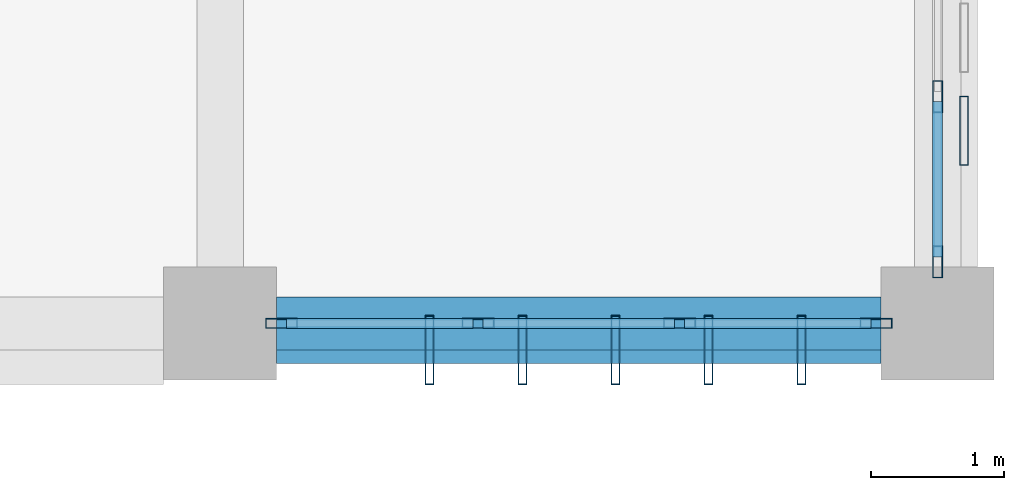
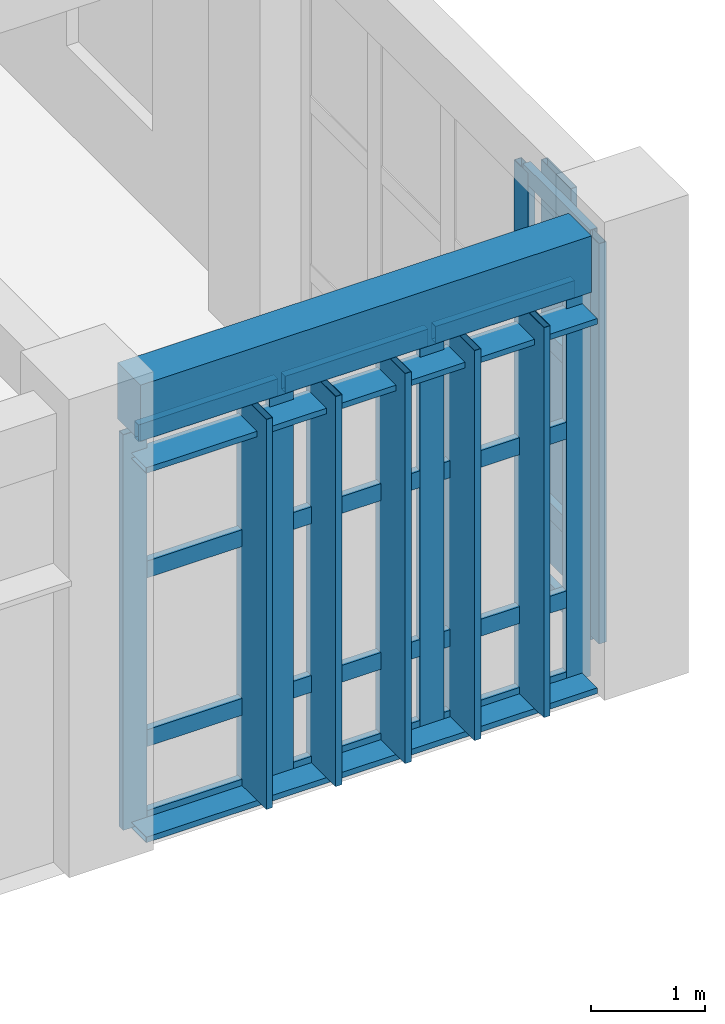
# One storey, part 61 of 106: 30 members, 1 beam, 2 elements without a shape of their own.
"""IFC4 building model written with IfcOpenShell, lengths in metres."""

import ifcopenshell
import ifcopenshell.guid

model = None  # the IFC model being written
_history = None  # IfcOwnerHistory: only IFC2X3 demands one
_inside = {}  # id of a spatial element -> (the spatial element, [elements in it])
_under = {}  # id of a project, library or spatial element -> (it, [spatial elements below it])
_declared = {}  # id of a project -> (the project, [libraries it declares])
_typed = {}  # id of a type object -> (the type object, [elements of that type])
_made_of = {}  # id of a material, layer set ... -> (it, [elements and type objects made of it])


def new_model(schema):
    """Start an empty IFC model of exactly this schema.

    Asked for "IFC4X3", IfcOpenShell would pick the latest addendum, in which some entities
    have other attributes; the version numbers below select the first issue.
    IFC2X3 requires an IfcOwnerHistory on every rooted entity: one is made here for all.
    """
    global model, _history
    if schema == "IFC4X3":
        model = ifcopenshell.file(schema_version=(4, 3, 0, 0))
    else:
        model = ifcopenshell.file(schema=schema)
    _inside.clear()
    _under.clear()
    _declared.clear()
    _typed.clear()
    _made_of.clear()
    _history = None
    if model.schema == "IFC2X3":
        org = make("IfcOrganization", Name="unknown")
        user = make(
            "IfcPersonAndOrganization",
            ThePerson=make("IfcPerson", FamilyName="unknown"),
            TheOrganization=org,
        )
        app = make(
            "IfcApplication",
            ApplicationDeveloper=org,
            Version="unknown",
            ApplicationFullName="unknown",
            ApplicationIdentifier="unknown",
        )
        _history = make(
            "IfcOwnerHistory",
            OwningUser=user,
            OwningApplication=app,
            ChangeAction="ADDED",
            CreationDate=0,
        )
    return model


def make(cls, **values):
    """One entity of the class cls with the attributes given. An attribute that is None is left unset."""
    return model.create_entity(
        cls, **{name: value for name, value in values.items() if value is not None}
    )


def rooted(cls, **values):
    """An entity with a GlobalId (a new one), such as an element, a storey or a relation."""
    return make(cls, GlobalId=ifcopenshell.guid.new(), OwnerHistory=_history, **values)


def si_unit(unit_type, name, prefix=None):
    """IfcSIUnit, for example si_unit("LENGTHUNIT", "METRE", prefix="MILLI")."""
    return make("IfcSIUnit", UnitType=unit_type, Prefix=prefix, Name=name)


def assignment(units):
    """IfcUnitAssignment: the units of a project."""
    return None if units is None else make("IfcUnitAssignment", Units=units)


def point(xyz):
    """IfcCartesianPoint."""
    return None if xyz is None else make("IfcCartesianPoint", Coordinates=xyz)


def direction(xyz):
    """IfcDirection."""
    return None if xyz is None else make("IfcDirection", DirectionRatios=xyz)


def frame(location, z_axis=None, x_axis=None):
    """IfcAxis2Placement3D, a coordinate frame: its origin and axes. An axis left out is left unset."""
    return make(
        "IfcAxis2Placement3D",
        Location=point(location),
        Axis=direction(z_axis),
        RefDirection=direction(x_axis),
    )


def frame_2d(location, x_axis=None):
    """IfcAxis2Placement2D, a coordinate frame in the plane: its origin and x axis."""
    return make(
        "IfcAxis2Placement2D", Location=point(location), RefDirection=direction(x_axis)
    )


def origin():
    """The frame at (0, 0, 0) with its axes left unset."""
    return frame((0.0, 0.0, 0.0))


def origin_2d():
    """The frame at (0, 0) in the plane with its x axis left unset."""
    return frame_2d((0.0, 0.0))


def place(relative_to, where):
    """IfcLocalPlacement: puts the frame where relative to a parent placement (None: the world)."""
    return make(
        "IfcLocalPlacement", PlacementRelTo=relative_to, RelativePlacement=where
    )


def context(
    kind, dimensions, precision=None, world=None, true_north=None, identifier=None
):
    """IfcGeometricRepresentationContext, for example the 3D "Model" context."""
    return make(
        "IfcGeometricRepresentationContext",
        ContextIdentifier=identifier,
        ContextType=kind,
        CoordinateSpaceDimension=dimensions,
        Precision=precision,
        WorldCoordinateSystem=world,
        TrueNorth=true_north,
    )


def subcontext(parent, identifier, kind, view, scale=None):
    """IfcGeometricRepresentationSubContext, for example "Body" below "Model"."""
    return make(
        "IfcGeometricRepresentationSubContext",
        ContextIdentifier=identifier,
        ContextType=kind,
        ParentContext=parent,
        TargetScale=scale,
        TargetView=view,
    )


def project(units=None, contexts=None):
    """IfcProject with its units and contexts."""
    return rooted(
        "IfcProject",
        Name="project",
        RepresentationContexts=contexts,
        UnitsInContext=assignment(units),
    )


def spatial(cls, under=None, at=None, **own):
    """A site, building, storey or space (cls), placed at a placement, below another one or the project."""
    s = rooted(cls, ObjectPlacement=at, **own)
    if under is not None:
        _under.setdefault(under.id(), (under, []))[1].append(s)
    return s


def profile(cls, at=None, kind="AREA", **sizes):
    """A parametric profile (cls). Its sizes go by their IFC names, for example OverallWidth=200.0."""
    return make(cls, ProfileType=kind, Position=at, **sizes)


def rectangle(**sizes):
    """IfcRectangleProfileDef."""
    return profile("IfcRectangleProfileDef", **sizes)


def hollow_rectangle(**sizes):
    """IfcRectangleHollowProfileDef."""
    return profile("IfcRectangleHollowProfileDef", **sizes)


def extrude(swept, where, along, depth):
    """IfcExtrudedAreaSolid: the profile swept, set in the frame where, extruded along a direction by depth."""
    return make(
        "IfcExtrudedAreaSolid",
        SweptArea=swept,
        Position=where,
        ExtrudedDirection=direction(along),
        Depth=depth,
    )


def shape(context_of_items, identifier, shape_type, items):
    """IfcShapeRepresentation: the items that make up one representation, for example the "Body"."""
    return make(
        "IfcShapeRepresentation",
        ContextOfItems=context_of_items,
        RepresentationIdentifier=identifier,
        RepresentationType=shape_type,
        Items=items,
    )


def material(Name=None, Category=None):
    """IfcMaterial."""
    return make("IfcMaterial", Name=Name, Category=Category)


def layer(
    of_material, thickness, ventilated=None, Name=None, Category=None, Priority=None
):
    """IfcMaterialLayer: one layer of a wall or slab, of a material (None: an air gap)."""
    return make(
        "IfcMaterialLayer",
        Material=of_material,
        LayerThickness=thickness,
        IsVentilated=ventilated,
        Name=Name,
        Category=Category,
        Priority=Priority,
    )


def layer_set(layers, Name=None):
    """IfcMaterialLayerSet."""
    return make("IfcMaterialLayerSet", MaterialLayers=layers, LayerSetName=Name)


def material_profile(
    of_material, cross_section, Name=None, Category=None, Priority=None
):
    """IfcMaterialProfile: a cross section and its material."""
    return make(
        "IfcMaterialProfile",
        Name=Name,
        Material=of_material,
        Profile=cross_section,
        Priority=Priority,
        Category=Category,
    )


def profile_set(profiles, Name=None, composite=None):
    """IfcMaterialProfileSet."""
    return make(
        "IfcMaterialProfileSet",
        Name=Name,
        MaterialProfiles=profiles,
        CompositeProfile=composite,
    )


def made_of(thing, what):
    """Note that an element or type object is made of a material, layer set ...; save() writes the relation."""
    if what is not None:
        _made_of.setdefault(what.id(), (what, []))[1].append(thing)
    return thing


def type_object(cls, material=None, **own):
    """A type object (cls), such as IfcWallType, which elements share."""
    return made_of(rooted(cls, **own), material)


def element(
    cls,
    number,
    at=None,
    inside=None,
    cuts=None,
    type_object=None,
    material=None,
    context=None,
    identifier="Body",
    shape_type=None,
    held_by="IfcProductDefinitionShape",
    body=None,
    shapes=None,
    **own,
):
    """One element of the class cls, such as IfcWall. Its Tag is "e" and its number.

    at: its placement. inside: the storey or other place that contains it. cuts: it is an
    opening in that element (IfcRelVoidsElement). A single representation is given by context,
    identifier, shape_type and body (its items); several are given by shapes. held_by: the class
    of the entity that holds the representations. save() writes the other relations.
    """
    e = rooted(cls, Tag="e%d" % number, ObjectPlacement=at, **own)
    if body is not None:
        shapes = [shape(context, identifier, shape_type, body)]
    if shapes is not None:
        e.Representation = make(held_by, Representations=shapes)
    if inside is not None:
        _inside.setdefault(inside.id(), (inside, []))[1].append(e)
    if cuts is not None:
        rooted(
            "IfcRelVoidsElement", RelatingBuildingElement=cuts, RelatedOpeningElement=e
        )
    if type_object is not None:
        _typed.setdefault(type_object.id(), (type_object, []))[1].append(e)
    return made_of(e, material)


def aggregate(whole, parts):
    """IfcRelAggregates: a whole, such as a stair, and the parts it consists of."""
    return rooted("IfcRelAggregates", RelatingObject=whole, RelatedObjects=parts)


def save(model, path):
    """Write the relations noted so far, then the file.

    IfcRelAggregates (storeys below a building ...), IfcRelContainedInSpatialStructure (elements
    in a storey), IfcRelDefinesByType, IfcRelAssociatesMaterial and IfcRelDeclares: one each for
    every whole, place, type object, material and project.
    """
    for whole, parts in _under.values():
        aggregate(whole, parts)
    for where, things in _inside.values():
        rooted(
            "IfcRelContainedInSpatialStructure",
            RelatedElements=things,
            RelatingStructure=where,
        )
    for kind, things in _typed.values():
        rooted("IfcRelDefinesByType", RelatedObjects=things, RelatingType=kind)
    for what, things in _made_of.values():
        rooted("IfcRelAssociatesMaterial", RelatedObjects=things, RelatingMaterial=what)
    for by, libraries in _declared.values():
        rooted("IfcRelDeclares", RelatingContext=by, RelatedDefinitions=libraries)
    model.write(path)


model = new_model("IFC4")

# Units and contexts
model_context = context("Model", 3, precision=1e-05, world=origin(), true_north=direction((0.0, 1.0)))
body_context = subcontext(model_context, "Body", "Model", "MODEL_VIEW")
ifc_project = project(units=[si_unit("LENGTHUNIT", "METRE"), si_unit("AREAUNIT", "SQUARE_METRE"), si_unit("VOLUMEUNIT", "CUBIC_METRE"), si_unit("PLANEANGLEUNIT", "RADIAN"), si_unit("MASSUNIT", "GRAM", prefix="KILO")], contexts=[model_context])

# Site, building, storey
site_placement = place(None, origin())
site = spatial("IfcSite", under=ifc_project, at=site_placement, CompositionType="ELEMENT")
building_placement = place(site_placement, origin())
building = spatial("IfcBuilding", under=site, at=building_placement, Name="Krzemoval Escarpment Law Courts", CompositionType="ELEMENT")
storey_placement = place(building_placement, frame((0.0, 0.0, 5.10009765625)))
storey = spatial("IfcBuildingStorey", under=building, at=storey_placement, Name="L01", CompositionType="ELEMENT", Elevation=5.10009765625)

# Beam
ifc_material_1 = material(Name="Concrete C40/50", Category="concrete")
ifc_material_profile_1 = material_profile(ifc_material_1, rectangle(XDim=0.39990234375, YDim=0.60009765625, at=origin_2d()), Name="RCB 400x600")
ifc_profile_set_1 = profile_set([ifc_material_profile_1], Name="Concrete C40/50")
beam_type = type_object("IfcBeamType", Name="BM-RC-400x600", PredefinedType="BEAM", material=ifc_profile_set_1)
beam_placement = place(storey_placement, frame((167.824951171875, 93.60009765625, 4.52001953125), z_axis=(1.0, 0.0, 0.0), x_axis=(0.0, 1.0, 0.0)))
element("IfcBeam", 1, at=beam_placement, inside=storey, type_object=beam_type, Name="Beam FG-L01-1298", PredefinedType="BEAM", context=body_context, shape_type="SweptSolid", body=[
    extrude(rectangle(XDim=0.39990234375, YDim=0.60009765625, at=origin_2d()), origin(), (0.0, 0.0, 1.0), 4.550048828125),
])

# Curtain wall, members
ifc_material_2 = material(Name="Aluminium 6063-T6", Category="aluminium")
ifc_layer = layer(ifc_material_2, 0.239990234375)
ifc_layer_set = layer_set([ifc_layer], Name="Aluminium 6063-T6")
curtain_wall_type = type_object("IfcCurtainWallType", Name="CW-CHMB-4800", PredefinedType="USERDEFINED", material=ifc_layer_set)
curtain_wall_1_placement = place(storey_placement, origin())
curtain_wall_1 = element("IfcCurtainWall", 2, at=curtain_wall_1_placement, inside=storey, type_object=curtain_wall_type, Name="Unitised Curtain Wall FCW-L01-038", ObjectType="UNITISED_CURTAIN_WALL", PredefinedType="USERDEFINED")
ifc_material_3 = material(Name="Aluminium 6063-T6", Category="aluminium")
ifc_material_profile_2 = material_profile(ifc_material_3, hollow_rectangle(XDim=0.074951171875, YDim=0.239990234375, WallThickness=0.0048828125, at=origin_2d()), Name="ALU M75x240")
ifc_profile_set_2 = profile_set([ifc_material_profile_2], Name="Aluminium 6063-T6")
member_type_1 = type_object("IfcMemberType", Name="CWM-75x240", PredefinedType="MULLION", material=ifc_profile_set_2)
member_1_placement = place(storey_placement, frame((172.800048828125, 95.30615234375, 0.0), z_axis=(0.0, 0.0, 1.0), x_axis=(1.0, 0.0, 0.0)))
member_1 = element("IfcMember", 3, at=member_1_placement, type_object=member_type_1, Name="FCW-L01-038 mullion 4", PredefinedType="MULLION", context=body_context, shape_type="SweptSolid", body=[
    extrude(hollow_rectangle(XDim=0.074951171875, YDim=0.239990234375, WallThickness=0.0048828125, at=origin_2d()), origin(), (0.0, 0.0, 1.0), 4.27001953125),
])
member_2_placement = place(storey_placement, frame((172.800048828125, 94.0625, 0.0), z_axis=(0.0, 0.0, 1.0), x_axis=(1.0, 0.0, 0.0)))
member_2 = element("IfcMember", 4, at=member_2_placement, type_object=member_type_1, Name="FCW-L01-038 mullion 5", PredefinedType="MULLION", context=body_context, shape_type="SweptSolid", body=[
    extrude(hollow_rectangle(XDim=0.074951171875, YDim=0.239990234375, WallThickness=0.0048828125, at=origin_2d()), origin(), (0.0, 0.0, 1.0), 4.27001953125),
])

curtain_wall_2_placement = place(storey_placement, origin())
curtain_wall_2 = element("IfcCurtainWall", 5, at=curtain_wall_2_placement, inside=storey, type_object=curtain_wall_type, Name="Unitised Curtain Wall FCW-L01-039", ObjectType="UNITISED_CURTAIN_WALL", PredefinedType="USERDEFINED")
member_3_placement = place(storey_placement, frame((172.33740234375, 93.60009765625, 0.0), z_axis=(0.0, 0.0, 1.0), x_axis=(0.0, -1.0, 0.0)))
member_3 = element("IfcMember", 6, at=member_3_placement, type_object=member_type_1, Name="FCW-L01-039 mullion 1", PredefinedType="MULLION", context=body_context, shape_type="SweptSolid", body=[
    extrude(hollow_rectangle(XDim=0.074951171875, YDim=0.239990234375, WallThickness=0.0048828125, at=origin_2d()), origin(), (0.0, 0.0, 1.0), 4.219970703125),
])
member_4_placement = place(storey_placement, frame((170.8583984375, 93.60009765625, 0.0), z_axis=(0.0, 0.0, 1.0), x_axis=(0.0, -1.0, 0.0)))
member_4 = element("IfcMember", 7, at=member_4_placement, type_object=member_type_1, Name="FCW-L01-039 mullion 2", PredefinedType="MULLION", context=body_context, shape_type="SweptSolid", body=[
    extrude(hollow_rectangle(XDim=0.074951171875, YDim=0.239990234375, WallThickness=0.0048828125, at=origin_2d()), origin(), (0.0, 0.0, 1.0), 4.219970703125),
])
member_5_placement = place(storey_placement, frame((169.341552734375, 93.60009765625, 0.0), z_axis=(0.0, 0.0, 1.0), x_axis=(0.0, -1.0, 0.0)))
member_5 = element("IfcMember", 8, at=member_5_placement, type_object=member_type_1, Name="FCW-L01-039 mullion 3", PredefinedType="MULLION", context=body_context, shape_type="SweptSolid", body=[
    extrude(hollow_rectangle(XDim=0.074951171875, YDim=0.239990234375, WallThickness=0.0048828125, at=origin_2d()), origin(), (0.0, 0.0, 1.0), 4.219970703125),
])
member_6_placement = place(storey_placement, frame((167.862548828125, 93.60009765625, 0.0), z_axis=(0.0, 0.0, 1.0), x_axis=(0.0, -1.0, 0.0)))
member_6 = element("IfcMember", 9, at=member_6_placement, type_object=member_type_1, Name="FCW-L01-039 mullion 4", PredefinedType="MULLION", context=body_context, shape_type="SweptSolid", body=[
    extrude(hollow_rectangle(XDim=0.074951171875, YDim=0.239990234375, WallThickness=0.0048828125, at=origin_2d()), origin(), (0.0, 0.0, 1.0), 4.219970703125),
])

# Member
ifc_material_4 = material(Name="Aluminium 6063-T6", Category="aluminium")
ifc_material_profile_3 = material_profile(ifc_material_4, hollow_rectangle(XDim=0.074951171875, YDim=0.179931640625, WallThickness=0.0048828125, at=origin_2d()), Name="ALU T75x180")
ifc_profile_set_3 = profile_set([ifc_material_profile_3], Name="Aluminium 6063-T6")
member_type_2 = type_object("IfcMemberType", Name="CWT-75x180", PredefinedType="USERDEFINED", material=ifc_profile_set_3)
member_7_placement = place(storey_placement, frame((172.800048828125, 95.268798828125, 0.037353515625), z_axis=(0.0, -1.0, 0.0), x_axis=(1.0, 0.0, 0.0)))
member_7 = element("IfcMember", 10, at=member_7_placement, type_object=member_type_2, Name="FCW-L01-038 transom 4.1", ObjectType="TRANSOM", PredefinedType="USERDEFINED", context=body_context, shape_type="SweptSolid", body=[
    extrude(hollow_rectangle(XDim=0.074951171875, YDim=0.179931640625, WallThickness=0.0048828125, at=origin_2d()), origin(), (0.0, 0.0, 1.0), 1.168701171875),
])

member_8_placement = place(storey_placement, frame((172.800048828125, 95.268798828125, 0.89990234375), z_axis=(0.0, -1.0, 0.0), x_axis=(1.0, 0.0, 0.0)))
member_8 = element("IfcMember", 11, at=member_8_placement, type_object=member_type_2, Name="FCW-L01-038 transom 4.2", ObjectType="TRANSOM", PredefinedType="USERDEFINED", context=body_context, shape_type="SweptSolid", body=[
    extrude(hollow_rectangle(XDim=0.074951171875, YDim=0.179931640625, WallThickness=0.0048828125, at=origin_2d()), origin(), (0.0, 0.0, 1.0), 1.168701171875),
])

member_9_placement = place(storey_placement, frame((172.800048828125, 95.268798828125, 2.699951171875), z_axis=(0.0, -1.0, 0.0), x_axis=(1.0, 0.0, 0.0)))
member_9 = element("IfcMember", 12, at=member_9_placement, type_object=member_type_2, Name="FCW-L01-038 transom 4.3", ObjectType="TRANSOM", PredefinedType="USERDEFINED", context=body_context, shape_type="SweptSolid", body=[
    extrude(hollow_rectangle(XDim=0.074951171875, YDim=0.179931640625, WallThickness=0.0048828125, at=origin_2d()), origin(), (0.0, 0.0, 1.0), 1.168701171875),
])

member_10_placement = place(storey_placement, frame((172.800048828125, 95.268798828125, 4.232421875), z_axis=(0.0, -1.0, 0.0), x_axis=(1.0, 0.0, 0.0)))
member_10 = element("IfcMember", 13, at=member_10_placement, type_object=member_type_2, Name="FCW-L01-038 transom 4.4", ObjectType="TRANSOM", PredefinedType="USERDEFINED", context=body_context, shape_type="SweptSolid", body=[
    extrude(hollow_rectangle(XDim=0.074951171875, YDim=0.179931640625, WallThickness=0.0048828125, at=origin_2d()), origin(), (0.0, 0.0, 1.0), 1.168701171875),
])

aggregate(curtain_wall_1, [member_1, member_2, member_7, member_8, member_9, member_10])

member_11_placement = place(storey_placement, frame((172.300048828125, 93.60009765625, 0.037353515625), z_axis=(-1.0, 0.0, 0.0), x_axis=(0.0, -1.0, 0.0)))
member_11 = element("IfcMember", 14, at=member_11_placement, type_object=member_type_2, Name="FCW-L01-039 transom 1.1", ObjectType="TRANSOM", PredefinedType="USERDEFINED", context=body_context, shape_type="SweptSolid", body=[
    extrude(hollow_rectangle(XDim=0.074951171875, YDim=0.179931640625, WallThickness=0.0048828125, at=origin_2d()), origin(), (0.0, 0.0, 1.0), 1.404296875),
])

member_12_placement = place(storey_placement, frame((172.300048828125, 93.60009765625, 0.89990234375), z_axis=(-1.0, 0.0, 0.0), x_axis=(0.0, -1.0, 0.0)))
member_12 = element("IfcMember", 15, at=member_12_placement, type_object=member_type_2, Name="FCW-L01-039 transom 1.2", ObjectType="TRANSOM", PredefinedType="USERDEFINED", context=body_context, shape_type="SweptSolid", body=[
    extrude(hollow_rectangle(XDim=0.074951171875, YDim=0.179931640625, WallThickness=0.0048828125, at=origin_2d()), origin(), (0.0, 0.0, 1.0), 1.404296875),
])

member_13_placement = place(storey_placement, frame((172.300048828125, 93.60009765625, 2.699951171875), z_axis=(-1.0, 0.0, 0.0), x_axis=(0.0, -1.0, 0.0)))
member_13 = element("IfcMember", 16, at=member_13_placement, type_object=member_type_2, Name="FCW-L01-039 transom 1.3", ObjectType="TRANSOM", PredefinedType="USERDEFINED", context=body_context, shape_type="SweptSolid", body=[
    extrude(hollow_rectangle(XDim=0.074951171875, YDim=0.179931640625, WallThickness=0.0048828125, at=origin_2d()), origin(), (0.0, 0.0, 1.0), 1.404296875),
])

member_14_placement = place(storey_placement, frame((172.300048828125, 93.60009765625, 4.182373046875), z_axis=(-1.0, 0.0, 0.0), x_axis=(0.0, -1.0, 0.0)))
member_14 = element("IfcMember", 17, at=member_14_placement, type_object=member_type_2, Name="FCW-L01-039 transom 1.4", ObjectType="TRANSOM", PredefinedType="USERDEFINED", context=body_context, shape_type="SweptSolid", body=[
    extrude(hollow_rectangle(XDim=0.074951171875, YDim=0.179931640625, WallThickness=0.0048828125, at=origin_2d()), origin(), (0.0, 0.0, 1.0), 1.404296875),
])

member_15_placement = place(storey_placement, frame((170.82080078125, 93.60009765625, 0.037353515625), z_axis=(-1.0, 0.0, 0.0), x_axis=(0.0, -1.0, 0.0)))
member_15 = element("IfcMember", 18, at=member_15_placement, type_object=member_type_2, Name="FCW-L01-039 transom 2.1", ObjectType="TRANSOM", PredefinedType="USERDEFINED", context=body_context, shape_type="SweptSolid", body=[
    extrude(hollow_rectangle(XDim=0.074951171875, YDim=0.179931640625, WallThickness=0.0048828125, at=origin_2d()), origin(), (0.0, 0.0, 1.0), 1.441650390625),
])

member_16_placement = place(storey_placement, frame((170.82080078125, 93.60009765625, 0.89990234375), z_axis=(-1.0, 0.0, 0.0), x_axis=(0.0, -1.0, 0.0)))
member_16 = element("IfcMember", 19, at=member_16_placement, type_object=member_type_2, Name="FCW-L01-039 transom 2.2", ObjectType="TRANSOM", PredefinedType="USERDEFINED", context=body_context, shape_type="SweptSolid", body=[
    extrude(hollow_rectangle(XDim=0.074951171875, YDim=0.179931640625, WallThickness=0.0048828125, at=origin_2d()), origin(), (0.0, 0.0, 1.0), 1.441650390625),
])

member_17_placement = place(storey_placement, frame((170.82080078125, 93.60009765625, 2.699951171875), z_axis=(-1.0, 0.0, 0.0), x_axis=(0.0, -1.0, 0.0)))
member_17 = element("IfcMember", 20, at=member_17_placement, type_object=member_type_2, Name="FCW-L01-039 transom 2.3", ObjectType="TRANSOM", PredefinedType="USERDEFINED", context=body_context, shape_type="SweptSolid", body=[
    extrude(hollow_rectangle(XDim=0.074951171875, YDim=0.179931640625, WallThickness=0.0048828125, at=origin_2d()), origin(), (0.0, 0.0, 1.0), 1.441650390625),
])

member_18_placement = place(storey_placement, frame((170.82080078125, 93.60009765625, 4.182373046875), z_axis=(-1.0, 0.0, 0.0), x_axis=(0.0, -1.0, 0.0)))
member_18 = element("IfcMember", 21, at=member_18_placement, type_object=member_type_2, Name="FCW-L01-039 transom 2.4", ObjectType="TRANSOM", PredefinedType="USERDEFINED", context=body_context, shape_type="SweptSolid", body=[
    extrude(hollow_rectangle(XDim=0.074951171875, YDim=0.179931640625, WallThickness=0.0048828125, at=origin_2d()), origin(), (0.0, 0.0, 1.0), 1.441650390625),
])

member_19_placement = place(storey_placement, frame((169.30419921875, 93.60009765625, 0.037353515625), z_axis=(-1.0, 0.0, 0.0), x_axis=(0.0, -1.0, 0.0)))
member_19 = element("IfcMember", 22, at=member_19_placement, type_object=member_type_2, Name="FCW-L01-039 transom 3.1", ObjectType="TRANSOM", PredefinedType="USERDEFINED", context=body_context, shape_type="SweptSolid", body=[
    extrude(hollow_rectangle(XDim=0.074951171875, YDim=0.179931640625, WallThickness=0.0048828125, at=origin_2d()), origin(), (0.0, 0.0, 1.0), 1.404296875),
])

member_20_placement = place(storey_placement, frame((169.30419921875, 93.60009765625, 0.89990234375), z_axis=(-1.0, 0.0, 0.0), x_axis=(0.0, -1.0, 0.0)))
member_20 = element("IfcMember", 23, at=member_20_placement, type_object=member_type_2, Name="FCW-L01-039 transom 3.2", ObjectType="TRANSOM", PredefinedType="USERDEFINED", context=body_context, shape_type="SweptSolid", body=[
    extrude(hollow_rectangle(XDim=0.074951171875, YDim=0.179931640625, WallThickness=0.0048828125, at=origin_2d()), origin(), (0.0, 0.0, 1.0), 1.404296875),
])

member_21_placement = place(storey_placement, frame((169.30419921875, 93.60009765625, 2.699951171875), z_axis=(-1.0, 0.0, 0.0), x_axis=(0.0, -1.0, 0.0)))
member_21 = element("IfcMember", 24, at=member_21_placement, type_object=member_type_2, Name="FCW-L01-039 transom 3.3", ObjectType="TRANSOM", PredefinedType="USERDEFINED", context=body_context, shape_type="SweptSolid", body=[
    extrude(hollow_rectangle(XDim=0.074951171875, YDim=0.179931640625, WallThickness=0.0048828125, at=origin_2d()), origin(), (0.0, 0.0, 1.0), 1.404296875),
])

member_22_placement = place(storey_placement, frame((169.30419921875, 93.60009765625, 4.182373046875), z_axis=(-1.0, 0.0, 0.0), x_axis=(0.0, -1.0, 0.0)))
member_22 = element("IfcMember", 25, at=member_22_placement, type_object=member_type_2, Name="FCW-L01-039 transom 3.4", ObjectType="TRANSOM", PredefinedType="USERDEFINED", context=body_context, shape_type="SweptSolid", body=[
    extrude(hollow_rectangle(XDim=0.074951171875, YDim=0.179931640625, WallThickness=0.0048828125, at=origin_2d()), origin(), (0.0, 0.0, 1.0), 1.404296875),
])

aggregate(curtain_wall_2, [member_3, member_4, member_5, member_6, member_11, member_12, member_13, member_14, member_15, member_16, member_17, member_18, member_19, member_20, member_21, member_22])

# Members
ifc_material_5 = material(Name="Anodised Aluminium Alloy 6063-T6", Category="aluminium")
ifc_material_profile_4 = material_profile(ifc_material_5, hollow_rectangle(XDim=0.06005859375, YDim=0.320068359375, WallThickness=0.00390625, at=origin_2d()), Name="ALU LVR 60x320")
ifc_profile_set_4 = profile_set([ifc_material_profile_4], Name="Anodised Aluminium Alloy 6063-T6")
member_type_3 = type_object("IfcMemberType", Name="LVR-ALU-320", PredefinedType="USERDEFINED", material=ifc_profile_set_4)
for number, where, z_axis, x_axis, name in (
    (26, (172.375, 93.4599609375, 0.02978515625), (-1.0, 0.0, 0.0), (0.0, 0.0, 1.0), "Sunshade Support Rail FSR-L01-0105"),
    (27, (172.375, 93.4599609375, 3.969970703125), (-1.0, 0.0, 0.0), (0.0, 0.0, 1.0), "Sunshade Support Rail FSR-L01-0106"),
):
    element("IfcMember", number, at=place(storey_placement, frame(where, z_axis=z_axis, x_axis=x_axis)), inside=storey, type_object=member_type_3, Name=name, ObjectType="SUNSHADE_LOUVRE", PredefinedType="USERDEFINED", context=body_context, shape_type="SweptSolid", body=[
        extrude(hollow_rectangle(XDim=0.06005859375, YDim=0.320068359375, WallThickness=0.00390625, at=origin_2d()), origin(), (0.0, 0.0, 1.0), 4.550048828125),
    ])
ifc_material_6 = material(Name="Anodised Aluminium Alloy 6063-T6", Category="aluminium")
ifc_material_profile_5 = material_profile(ifc_material_6, hollow_rectangle(XDim=0.06494140625, YDim=0.52001953125, WallThickness=0.00439453125, at=origin_2d()), Name="ALU LVR 65x520")
ifc_profile_set_5 = profile_set([ifc_material_profile_5], Name="Anodised Aluminium Alloy 6063-T6")
member_type_4 = type_object("IfcMemberType", Name="LVR-ALU-520", PredefinedType="USERDEFINED", material=ifc_profile_set_5)
member_23_placement = place(storey_placement, frame((173.0, 95.050048828125, 0.059814453125), z_axis=(0.0, 0.0, 1.0), x_axis=(1.0, 0.0, 0.0)))
element("IfcMember", 28, at=member_23_placement, inside=storey, type_object=member_type_4, Name="Sunshade Louvre Fin FLV-L01-0104", ObjectType="SUNSHADE_LOUVRE", PredefinedType="USERDEFINED", context=body_context, shape_type="SweptSolid", body=[
    extrude(hollow_rectangle(XDim=0.06494140625, YDim=0.52001953125, WallThickness=0.00439453125, at=origin_2d()), origin(), (0.0, 0.0, 1.0), 4.210205078125),
])
for number, where, z_axis, x_axis, name in (
    (29, (171.77490234375, 93.39990234375, 0.059814453125), (0.0, 0.0, 1.0), (1.0, 0.0, 0.0), "Sunshade Louvre Fin FLV-L01-0107"),
    (30, (171.074951171875, 93.39990234375, 0.059814453125), (0.0, 0.0, 1.0), (1.0, 0.0, 0.0), "Sunshade Louvre Fin FLV-L01-0108"),
    (31, (170.375, 93.39990234375, 0.059814453125), (0.0, 0.0, 1.0), (1.0, 0.0, 0.0), "Sunshade Louvre Fin FLV-L01-0109"),
    (32, (169.675048828125, 93.39990234375, 0.059814453125), (0.0, 0.0, 1.0), (1.0, 0.0, 0.0), "Sunshade Louvre Fin FLV-L01-0110"),
    (33, (168.97509765625, 93.39990234375, 0.059814453125), (0.0, 0.0, 1.0), (1.0, 0.0, 0.0), "Sunshade Louvre Fin FLV-L01-0111"),
):
    element("IfcMember", number, at=place(storey_placement, frame(where, z_axis=z_axis, x_axis=x_axis)), inside=storey, type_object=member_type_4, Name=name, ObjectType="SUNSHADE_LOUVRE", PredefinedType="USERDEFINED", context=body_context, shape_type="SweptSolid", body=[
        extrude(hollow_rectangle(XDim=0.06494140625, YDim=0.52001953125, WallThickness=0.00439453125, at=origin_2d()), origin(), (0.0, 0.0, 1.0), 4.16015625),
    ])

save(model, "model.ifc")
